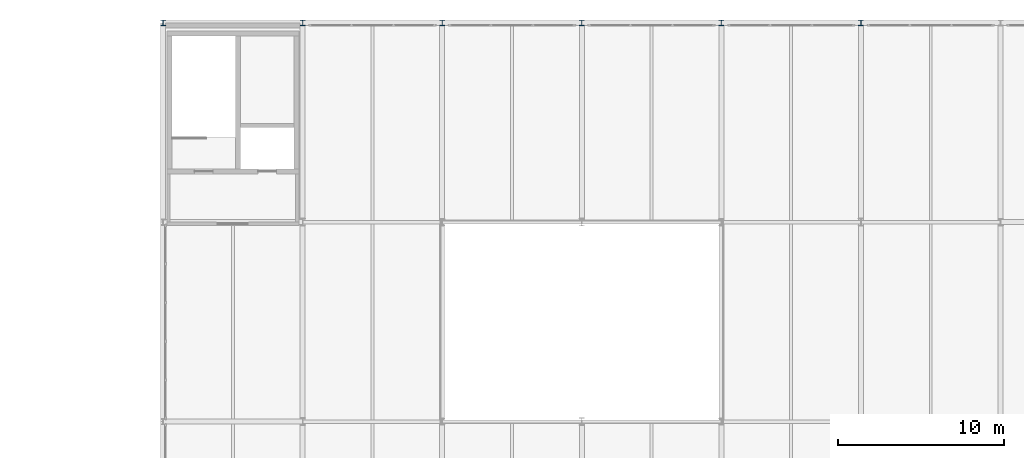
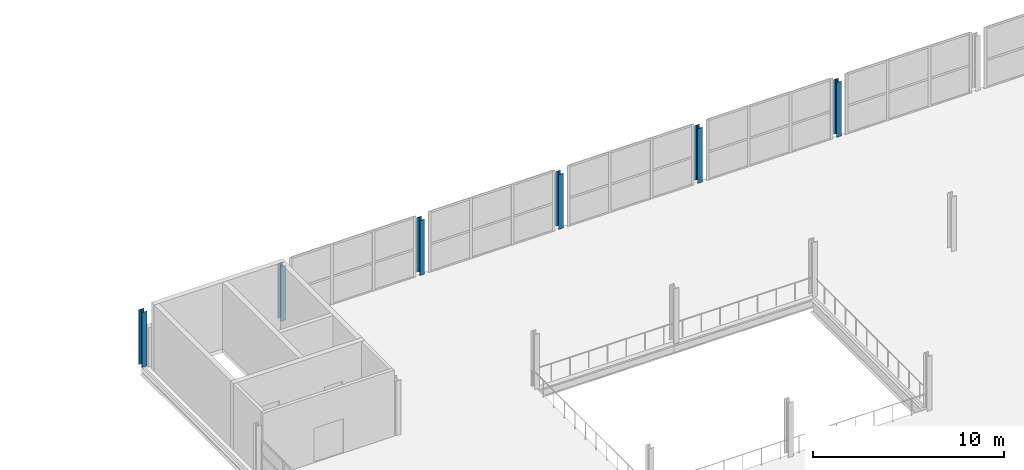
# One storey, part 7 of 103: 6 columns.
"""IFC4 building model written with IfcOpenShell, lengths in metres."""

from ifc_helpers import new_model, si_unit, direction, frame, origin, origin_2d, place, context, subcontext, project, spatial, i_section, extrude, material, material_profile, profile_set, type_object, element, save


model = new_model("IFC4")

# Units and contexts
model_context = context("Model", 3, precision=1e-05, world=origin(), true_north=direction((0.0, 1.0)))
body_context = subcontext(model_context, "Body", "Model", "MODEL_VIEW")
ifc_project = project(units=[si_unit("LENGTHUNIT", "METRE"), si_unit("AREAUNIT", "SQUARE_METRE"), si_unit("VOLUMEUNIT", "CUBIC_METRE"), si_unit("PLANEANGLEUNIT", "RADIAN"), si_unit("MASSUNIT", "GRAM", prefix="KILO")], contexts=[model_context])

# Site, building, storey
site_placement = place(None, origin())
site = spatial("IfcSite", under=ifc_project, at=site_placement, CompositionType="ELEMENT")
building_placement = place(site_placement, origin())
building = spatial("IfcBuilding", under=site, at=building_placement, Name="Veltarok Museum of Natural Sciences", CompositionType="ELEMENT")
storey_placement = place(building_placement, frame((0.0, 0.0, 21.89990234375)))
storey = spatial("IfcBuildingStorey", under=building, at=storey_placement, Name="L04", CompositionType="ELEMENT", Elevation=21.89990234375)

# Columns
ifc_material = material(Name="Steel S355J2", Category="steel")
ifc_material_profile = material_profile(ifc_material, i_section(OverallWidth=0.300048828125, OverallDepth=0.340087890625, WebThickness=0.011962890625, FlangeThickness=0.021484375, FilletRadius=0.027099609375, at=origin_2d()), Name="HEB 340")
ifc_profile_set = profile_set([ifc_material_profile], Name="Steel S355J2")
column_type = type_object("IfcColumnType", Name="Perimeter Spine Column HEB 340", PredefinedType="COLUMN", material=ifc_profile_set)
for number, where, z_axis, x_axis, name in (
    (1, (40.0, 72.0, 0.0), (0.0, 0.0, 1.0), (1.0, 0.0, 0.0), "Column COL-EXT05 L04 5/H"),
    (2, (48.39990234375, 72.0, 0.0), (0.0, 0.0, 1.0), (1.0, 0.0, 0.0), "Column COL-EXT05 L04 6/H"),
    (3, (56.800048828125, 72.0, 0.0), (0.0, 0.0, 1.0), (1.0, 0.0, 0.0), "Column COL-EXT05 L04 7/H"),
    (4, (65.199951171875, 72.0, 0.0), (0.0, 0.0, 1.0), (1.0, 0.0, 0.0), "Column COL-EXT05 L04 8/H"),
    (5, (73.60009765625, 72.0, 0.0), (0.0, 0.0, 1.0), (1.0, 0.0, 0.0), "Column COL-EXT05 L04 9/H"),
    (6, (82.0, 72.0, 0.0), (0.0, 0.0, 1.0), (1.0, 0.0, 0.0), "Column COL-EXT05 L04 10/H"),
):
    element("IfcColumn", number, at=place(storey_placement, frame(where, z_axis=z_axis, x_axis=x_axis)), inside=storey, type_object=column_type, Name=name, PredefinedType="COLUMN", context=body_context, shape_type="SweptSolid", body=[
        extrude(i_section(OverallWidth=0.300048828125, OverallDepth=0.340087890625, WebThickness=0.011962890625, FlangeThickness=0.021484375, FilletRadius=0.027099609375, at=origin_2d()), origin(), (0.0, 0.0, 1.0), 3.5),
    ])

save(model, "model.ifc")
